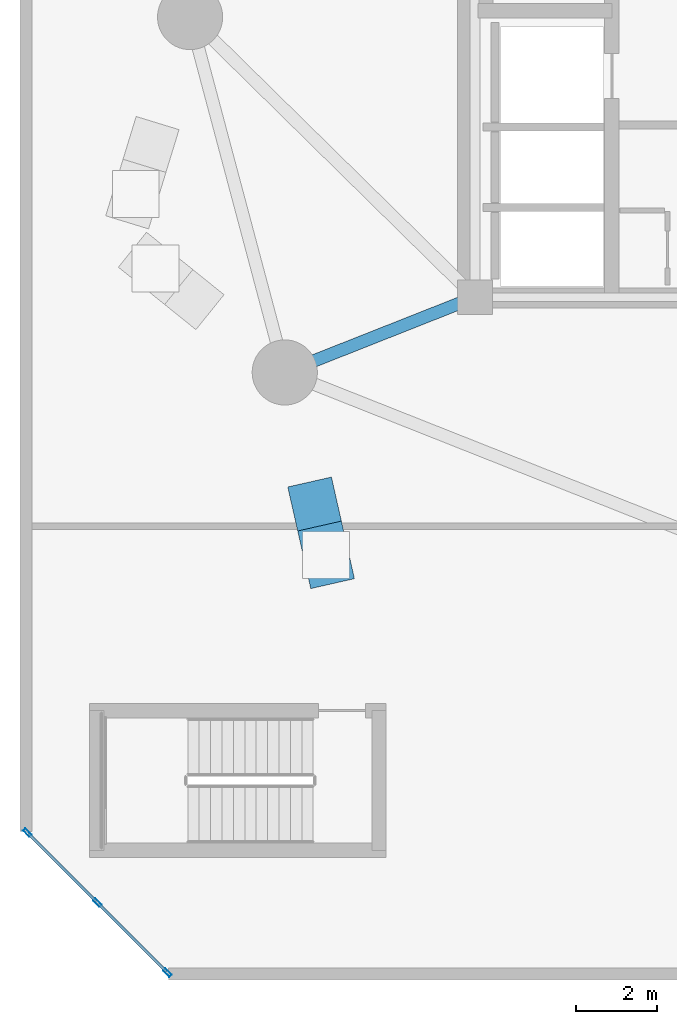
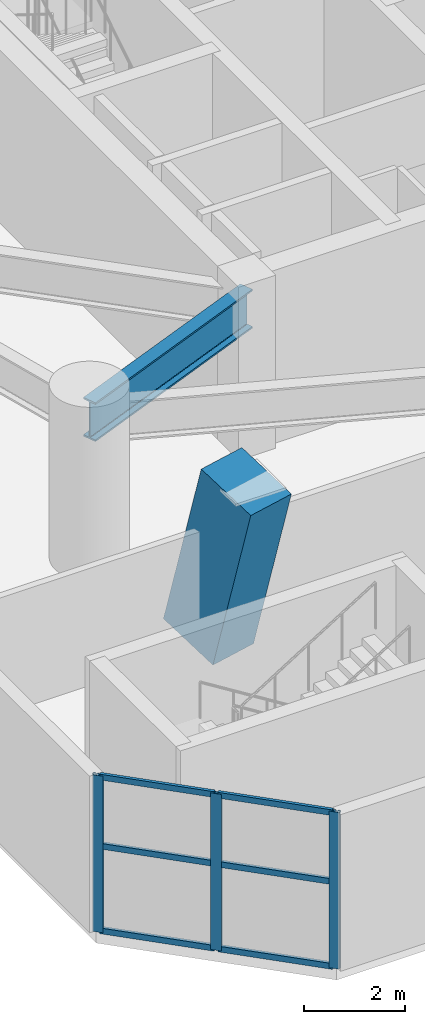
# One storey, part 3 of 20: 10 members, 1 beam, 1 element without a shape of its own.
"""IFC4 building model written with IfcOpenShell, lengths in metres."""

from ifc_helpers import new_model, si_unit, direction, frame, origin, origin_2d, place, context, subcontext, project, spatial, rectangle, hollow_rectangle, i_section, extrude, material, layer, layer_set, material_profile, profile_set, type_object, element, aggregate, save


model = new_model("IFC4")

# Units and contexts
model_context = context("Model", 3, precision=1e-05, world=origin(), true_north=direction((0.0, 1.0)))
body_context = subcontext(model_context, "Body", "Model", "MODEL_VIEW")
ifc_project = project(units=[si_unit("LENGTHUNIT", "METRE"), si_unit("AREAUNIT", "SQUARE_METRE"), si_unit("VOLUMEUNIT", "CUBIC_METRE"), si_unit("PLANEANGLEUNIT", "RADIAN"), si_unit("MASSUNIT", "GRAM", prefix="KILO")], contexts=[model_context])

# Site, building, storey
site_placement = place(None, origin())
site = spatial("IfcSite", under=ifc_project, at=site_placement, CompositionType="ELEMENT")
building_placement = place(site_placement, origin())
building = spatial("IfcBuilding", under=site, at=building_placement, Name="Cununo Teusaquillo Station Towers", CompositionType="ELEMENT")
storey_placement = place(building_placement, frame((0.0, 0.0, 13.199951171875)))
storey = spatial("IfcBuildingStorey", under=building, at=storey_placement, Name="L03", CompositionType="ELEMENT", Elevation=13.199951171875)

# Beam
ifc_material_1 = material(Name="Steel ASTM A572 Grade 50", Category="steel")
ifc_material_profile_1 = material_profile(ifc_material_1, i_section(OverallWidth=0.30810546875, OverallDepth=0.943115234375, WebThickness=0.022216796875, FlangeThickness=0.039794921875, FilletRadius=0.02392578125, at=origin_2d()), Name="W36X232")
ifc_profile_set_1 = profile_set([ifc_material_profile_1], Name="Steel ASTM A572 Grade 50")
beam_type = type_object("IfcBeamType", Name="BM-POD-SEC", PredefinedType="BEAM", material=ifc_profile_set_1)
beam_placement = place(storey_placement, frame((11.324951171875, 17.6201171875, 3.343505859375), z_axis=(-0.929864104313, -0.367903176814, 0.0), x_axis=(0.367903176814, -0.929864104313, 0.0)))
element("IfcBeam", 1, at=beam_placement, inside=storey, type_object=beam_type, Name="L03 Tower A Podium Radial Girder 4", PredefinedType="BEAM", context=body_context, shape_type="SweptSolid", body=[
    extrude(i_section(OverallWidth=0.30810546875, OverallDepth=0.943115234375, WebThickness=0.022216796875, FlangeThickness=0.039794921875, FilletRadius=0.02392578125, at=origin_2d()), origin(), (0.0, 0.0, 1.0), 5.02490234375),
])

# Curtain wall, members
ifc_material_2 = material(Name="Ceramic-fritted dark low-E double glazing", Category="glass")
ifc_layer = layer(ifc_material_2, 0.179931640625)
ifc_layer_set = layer_set([ifc_layer], Name="Ceramic-fritted dark low-E double glazing")
curtain_wall_type = type_object("IfcCurtainWallType", Name="CW-SYS-01", PredefinedType="USERDEFINED", material=ifc_layer_set)
curtain_wall_placement = place(storey_placement, origin())
curtain_wall = element("IfcCurtainWall", 2, at=curtain_wall_placement, inside=storey, type_object=curtain_wall_type, Name="L03 Station Podium Corner Curtain Wall 8", ObjectType="FRITTED GLAZING", PredefinedType="USERDEFINED")
ifc_material_3 = material(Name="Anodised dark bronze aluminium EN AW-6063-T6", Category="aluminium")
ifc_material_profile_2 = material_profile(ifc_material_3, hollow_rectangle(XDim=0.080078125, YDim=0.219970703125, WallThickness=0.0048828125, at=origin_2d()), Name="CW-MULL-80x220")
ifc_profile_set_2 = profile_set([ifc_material_profile_2], Name="Anodised dark bronze aluminium EN AW-6063-T6")
member_type_1 = type_object("IfcMemberType", Name="CWM-220", PredefinedType="MULLION", material=ifc_profile_set_2)
member_1_placement = place(storey_placement, frame((3.771728515625, 1.0283203125, 0.0), z_axis=(0.0, 0.0, 1.0), x_axis=(-0.707106781187, -0.707106781187, 0.0)))
member_1 = element("IfcMember", 3, at=member_1_placement, type_object=member_type_1, Name="CW-01 mullion 1", PredefinedType="MULLION", context=body_context, shape_type="SweptSolid", body=[
    extrude(hollow_rectangle(XDim=0.080078125, YDim=0.219970703125, WallThickness=0.0048828125, at=origin_2d()), origin(), (0.0, 0.0, 1.0), 3.800048828125),
])
member_2_placement = place(storey_placement, frame((2.050048828125, 2.75, 0.0), z_axis=(0.0, 0.0, 1.0), x_axis=(-0.707106781187, -0.707106781187, 0.0)))
member_2 = element("IfcMember", 4, at=member_2_placement, type_object=member_type_1, Name="CW-01 mullion 2", PredefinedType="MULLION", context=body_context, shape_type="SweptSolid", body=[
    extrude(hollow_rectangle(XDim=0.080078125, YDim=0.219970703125, WallThickness=0.0048828125, at=origin_2d()), origin(), (0.0, 0.0, 1.0), 3.800048828125),
])
member_3_placement = place(storey_placement, frame((0.328369140625, 4.4716796875, 0.0), z_axis=(0.0, 0.0, 1.0), x_axis=(-0.707106781187, -0.707106781187, 0.0)))
member_3 = element("IfcMember", 5, at=member_3_placement, type_object=member_type_1, Name="CW-01 mullion 3", PredefinedType="MULLION", context=body_context, shape_type="SweptSolid", body=[
    extrude(hollow_rectangle(XDim=0.080078125, YDim=0.219970703125, WallThickness=0.0048828125, at=origin_2d()), origin(), (0.0, 0.0, 1.0), 3.800048828125),
])
ifc_material_4 = material(Name="Anodised dark bronze aluminium EN AW-6063-T6", Category="aluminium")
ifc_material_profile_3 = material_profile(ifc_material_4, hollow_rectangle(XDim=0.070068359375, YDim=0.139892578125, WallThickness=0.00390625, at=origin_2d()), Name="CW-TRAN-70x140")
ifc_profile_set_3 = profile_set([ifc_material_profile_3], Name="Anodised dark bronze aluminium EN AW-6063-T6")
member_type_2 = type_object("IfcMemberType", Name="CWT-140", PredefinedType="USERDEFINED", material=ifc_profile_set_3)
member_4_placement = place(storey_placement, frame((3.743408203125, 1.056640625, 0.03515625), z_axis=(-0.707106781187, 0.707106781187, 0.0), x_axis=(-0.707106781187, -0.707106781187, 0.0)))
member_4 = element("IfcMember", 6, at=member_4_placement, type_object=member_type_2, Name="CW-01 transom 1.1", ObjectType="TRANSOM", PredefinedType="USERDEFINED", context=body_context, shape_type="SweptSolid", body=[
    extrude(hollow_rectangle(XDim=0.070068359375, YDim=0.139892578125, WallThickness=0.00390625, at=origin_2d()), origin(), (0.0, 0.0, 1.0), 2.354736328125),
])
member_5_placement = place(storey_placement, frame((3.743408203125, 1.056640625, 2.090087890625), z_axis=(-0.707106781187, 0.707106781187, 0.0), x_axis=(-0.707106781187, -0.707106781187, 0.0)))
member_5 = element("IfcMember", 7, at=member_5_placement, type_object=member_type_2, Name="CW-01 transom 1.2", ObjectType="TRANSOM", PredefinedType="USERDEFINED", context=body_context, shape_type="SweptSolid", body=[
    extrude(hollow_rectangle(XDim=0.070068359375, YDim=0.139892578125, WallThickness=0.00390625, at=origin_2d()), origin(), (0.0, 0.0, 1.0), 2.354736328125),
])
member_6_placement = place(storey_placement, frame((3.743408203125, 1.056640625, 3.76513671875), z_axis=(-0.707106781187, 0.707106781187, 0.0), x_axis=(-0.707106781187, -0.707106781187, 0.0)))
member_6 = element("IfcMember", 8, at=member_6_placement, type_object=member_type_2, Name="CW-01 transom 1.3", ObjectType="TRANSOM", PredefinedType="USERDEFINED", context=body_context, shape_type="SweptSolid", body=[
    extrude(hollow_rectangle(XDim=0.070068359375, YDim=0.139892578125, WallThickness=0.00390625, at=origin_2d()), origin(), (0.0, 0.0, 1.0), 2.354736328125),
])
member_7_placement = place(storey_placement, frame((2.021728515625, 2.7783203125, 0.03515625), z_axis=(-0.707106781187, 0.707106781187, 0.0), x_axis=(-0.707106781187, -0.707106781187, 0.0)))
member_7 = element("IfcMember", 9, at=member_7_placement, type_object=member_type_2, Name="CW-01 transom 2.1", ObjectType="TRANSOM", PredefinedType="USERDEFINED", context=body_context, shape_type="SweptSolid", body=[
    extrude(hollow_rectangle(XDim=0.070068359375, YDim=0.139892578125, WallThickness=0.00390625, at=origin_2d()), origin(), (0.0, 0.0, 1.0), 2.354736328125),
])
member_8_placement = place(storey_placement, frame((2.021728515625, 2.7783203125, 2.090087890625), z_axis=(-0.707106781187, 0.707106781187, 0.0), x_axis=(-0.707106781187, -0.707106781187, 0.0)))
member_8 = element("IfcMember", 10, at=member_8_placement, type_object=member_type_2, Name="CW-01 transom 2.2", ObjectType="TRANSOM", PredefinedType="USERDEFINED", context=body_context, shape_type="SweptSolid", body=[
    extrude(hollow_rectangle(XDim=0.070068359375, YDim=0.139892578125, WallThickness=0.00390625, at=origin_2d()), origin(), (0.0, 0.0, 1.0), 2.354736328125),
])
member_9_placement = place(storey_placement, frame((2.021728515625, 2.7783203125, 3.76513671875), z_axis=(-0.707106781187, 0.707106781187, 0.0), x_axis=(-0.707106781187, -0.707106781187, 0.0)))
member_9 = element("IfcMember", 11, at=member_9_placement, type_object=member_type_2, Name="CW-01 transom 2.3", ObjectType="TRANSOM", PredefinedType="USERDEFINED", context=body_context, shape_type="SweptSolid", body=[
    extrude(hollow_rectangle(XDim=0.070068359375, YDim=0.139892578125, WallThickness=0.00390625, at=origin_2d()), origin(), (0.0, 0.0, 1.0), 2.354736328125),
])
aggregate(curtain_wall, [member_1, member_2, member_3, member_4, member_5, member_6, member_7, member_8, member_9])

# Member
ifc_material_5 = material(Name="Concrete C60/75", Category="concrete")
ifc_material_profile_4 = material_profile(ifc_material_5, rectangle(XDim=1.10009765625, YDim=1.5, at=origin_2d()), Name="RC-RECT-1500x1100")
ifc_profile_set_4 = profile_set([ifc_material_profile_4], Name="Concrete C60/75")
member_type_3 = type_object("IfcMemberType", Name="MBR-VFOOT", PredefinedType="USERDEFINED", material=ifc_profile_set_4)
member_10_placement = place(storey_placement, frame((7.42236328125, 12.373046875, 0.0), z_axis=(0.056372761122, -0.248928174485, 0.966879969671), x_axis=(0.975303454617, 0.220869127338, 0.0)))
element("IfcMember", 12, at=member_10_placement, inside=storey, type_object=member_type_3, Name="L03 Tower A Sloping Concrete V-Foot V12R", ObjectType="V FOOT STRUT", PredefinedType="USERDEFINED", context=body_context, shape_type="SweptSolid", body=[
    extrude(rectangle(XDim=1.10009765625, YDim=1.5, at=origin_2d()), origin(), (0.0, 0.0, 1.0), 4.34375),
])

save(model, "model.ifc")
